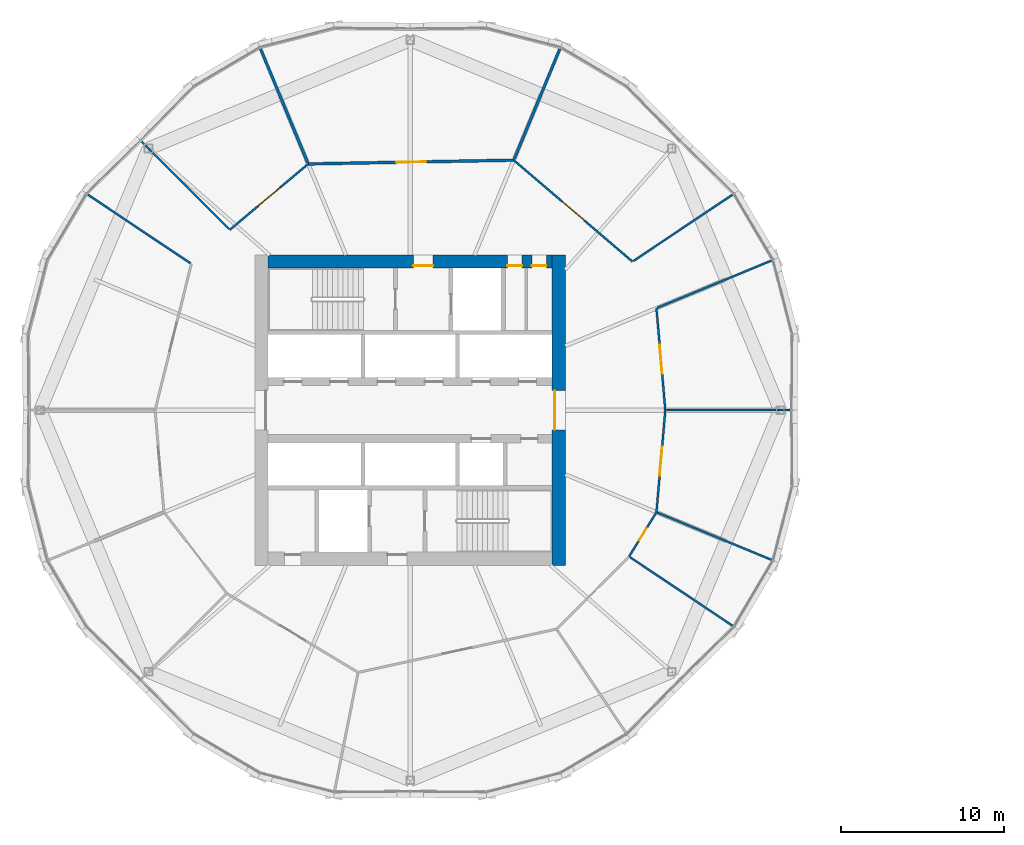
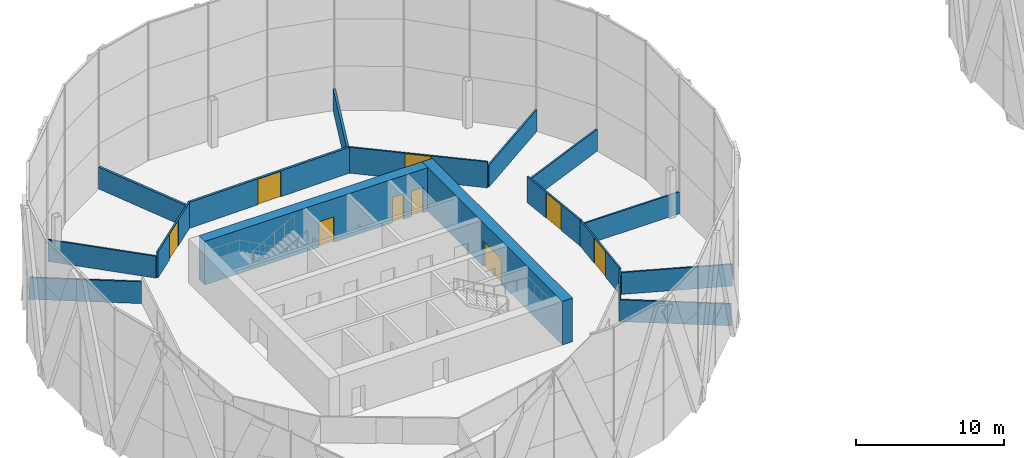
# One storey, part 21 of 26: 17 walls, 10 doors, 10 openings.
"""IFC4 building model written with IfcOpenShell, lengths in metres."""

import ifcopenshell
import ifcopenshell.guid

model = None  # the IFC model being written
_history = None  # IfcOwnerHistory: only IFC2X3 demands one
_inside = {}  # id of a spatial element -> (the spatial element, [elements in it])
_under = {}  # id of a project, library or spatial element -> (it, [spatial elements below it])
_declared = {}  # id of a project -> (the project, [libraries it declares])
_typed = {}  # id of a type object -> (the type object, [elements of that type])
_made_of = {}  # id of a material, layer set ... -> (it, [elements and type objects made of it])


def new_model(schema):
    """Start an empty IFC model of exactly this schema.

    Asked for "IFC4X3", IfcOpenShell would pick the latest addendum, in which some entities
    have other attributes; the version numbers below select the first issue.
    IFC2X3 requires an IfcOwnerHistory on every rooted entity: one is made here for all.
    """
    global model, _history
    if schema == "IFC4X3":
        model = ifcopenshell.file(schema_version=(4, 3, 0, 0))
    else:
        model = ifcopenshell.file(schema=schema)
    _inside.clear()
    _under.clear()
    _declared.clear()
    _typed.clear()
    _made_of.clear()
    _history = None
    if model.schema == "IFC2X3":
        org = make("IfcOrganization", Name="unknown")
        user = make(
            "IfcPersonAndOrganization",
            ThePerson=make("IfcPerson", FamilyName="unknown"),
            TheOrganization=org,
        )
        app = make(
            "IfcApplication",
            ApplicationDeveloper=org,
            Version="unknown",
            ApplicationFullName="unknown",
            ApplicationIdentifier="unknown",
        )
        _history = make(
            "IfcOwnerHistory",
            OwningUser=user,
            OwningApplication=app,
            ChangeAction="ADDED",
            CreationDate=0,
        )
    return model


def make(cls, **values):
    """One entity of the class cls with the attributes given. An attribute that is None is left unset."""
    return model.create_entity(
        cls, **{name: value for name, value in values.items() if value is not None}
    )


def rooted(cls, **values):
    """An entity with a GlobalId (a new one), such as an element, a storey or a relation."""
    return make(cls, GlobalId=ifcopenshell.guid.new(), OwnerHistory=_history, **values)


def si_unit(unit_type, name, prefix=None):
    """IfcSIUnit, for example si_unit("LENGTHUNIT", "METRE", prefix="MILLI")."""
    return make("IfcSIUnit", UnitType=unit_type, Prefix=prefix, Name=name)


def assignment(units):
    """IfcUnitAssignment: the units of a project."""
    return None if units is None else make("IfcUnitAssignment", Units=units)


def point(xyz):
    """IfcCartesianPoint."""
    return None if xyz is None else make("IfcCartesianPoint", Coordinates=xyz)


def direction(xyz):
    """IfcDirection."""
    return None if xyz is None else make("IfcDirection", DirectionRatios=xyz)


def frame(location, z_axis=None, x_axis=None):
    """IfcAxis2Placement3D, a coordinate frame: its origin and axes. An axis left out is left unset."""
    return make(
        "IfcAxis2Placement3D",
        Location=point(location),
        Axis=direction(z_axis),
        RefDirection=direction(x_axis),
    )


def frame_2d(location, x_axis=None):
    """IfcAxis2Placement2D, a coordinate frame in the plane: its origin and x axis."""
    return make(
        "IfcAxis2Placement2D", Location=point(location), RefDirection=direction(x_axis)
    )


def origin():
    """The frame at (0, 0, 0) with its axes left unset."""
    return frame((0.0, 0.0, 0.0))


def place(relative_to, where):
    """IfcLocalPlacement: puts the frame where relative to a parent placement (None: the world)."""
    return make(
        "IfcLocalPlacement", PlacementRelTo=relative_to, RelativePlacement=where
    )


def context(
    kind, dimensions, precision=None, world=None, true_north=None, identifier=None
):
    """IfcGeometricRepresentationContext, for example the 3D "Model" context."""
    return make(
        "IfcGeometricRepresentationContext",
        ContextIdentifier=identifier,
        ContextType=kind,
        CoordinateSpaceDimension=dimensions,
        Precision=precision,
        WorldCoordinateSystem=world,
        TrueNorth=true_north,
    )


def subcontext(parent, identifier, kind, view, scale=None):
    """IfcGeometricRepresentationSubContext, for example "Body" below "Model"."""
    return make(
        "IfcGeometricRepresentationSubContext",
        ContextIdentifier=identifier,
        ContextType=kind,
        ParentContext=parent,
        TargetScale=scale,
        TargetView=view,
    )


def project(units=None, contexts=None):
    """IfcProject with its units and contexts."""
    return rooted(
        "IfcProject",
        Name="project",
        RepresentationContexts=contexts,
        UnitsInContext=assignment(units),
    )


def spatial(cls, under=None, at=None, **own):
    """A site, building, storey or space (cls), placed at a placement, below another one or the project."""
    s = rooted(cls, ObjectPlacement=at, **own)
    if under is not None:
        _under.setdefault(under.id(), (under, []))[1].append(s)
    return s


def profile(cls, at=None, kind="AREA", **sizes):
    """A parametric profile (cls). Its sizes go by their IFC names, for example OverallWidth=200.0."""
    return make(cls, ProfileType=kind, Position=at, **sizes)


def rectangle(**sizes):
    """IfcRectangleProfileDef."""
    return profile("IfcRectangleProfileDef", **sizes)


def extrude(swept, where, along, depth):
    """IfcExtrudedAreaSolid: the profile swept, set in the frame where, extruded along a direction by depth."""
    return make(
        "IfcExtrudedAreaSolid",
        SweptArea=swept,
        Position=where,
        ExtrudedDirection=direction(along),
        Depth=depth,
    )


def shape(context_of_items, identifier, shape_type, items):
    """IfcShapeRepresentation: the items that make up one representation, for example the "Body"."""
    return make(
        "IfcShapeRepresentation",
        ContextOfItems=context_of_items,
        RepresentationIdentifier=identifier,
        RepresentationType=shape_type,
        Items=items,
    )


def material(Name=None, Category=None):
    """IfcMaterial."""
    return make("IfcMaterial", Name=Name, Category=Category)


def layer(
    of_material, thickness, ventilated=None, Name=None, Category=None, Priority=None
):
    """IfcMaterialLayer: one layer of a wall or slab, of a material (None: an air gap)."""
    return make(
        "IfcMaterialLayer",
        Material=of_material,
        LayerThickness=thickness,
        IsVentilated=ventilated,
        Name=Name,
        Category=Category,
        Priority=Priority,
    )


def layer_set(layers, Name=None):
    """IfcMaterialLayerSet."""
    return make("IfcMaterialLayerSet", MaterialLayers=layers, LayerSetName=Name)


def made_of(thing, what):
    """Note that an element or type object is made of a material, layer set ...; save() writes the relation."""
    if what is not None:
        _made_of.setdefault(what.id(), (what, []))[1].append(thing)
    return thing


def type_object(cls, material=None, **own):
    """A type object (cls), such as IfcWallType, which elements share."""
    return made_of(rooted(cls, **own), material)


def element(
    cls,
    number,
    at=None,
    inside=None,
    cuts=None,
    type_object=None,
    material=None,
    context=None,
    identifier="Body",
    shape_type=None,
    held_by="IfcProductDefinitionShape",
    body=None,
    shapes=None,
    **own,
):
    """One element of the class cls, such as IfcWall. Its Tag is "e" and its number.

    at: its placement. inside: the storey or other place that contains it. cuts: it is an
    opening in that element (IfcRelVoidsElement). A single representation is given by context,
    identifier, shape_type and body (its items); several are given by shapes. held_by: the class
    of the entity that holds the representations. save() writes the other relations.
    """
    e = rooted(cls, Tag="e%d" % number, ObjectPlacement=at, **own)
    if body is not None:
        shapes = [shape(context, identifier, shape_type, body)]
    if shapes is not None:
        e.Representation = make(held_by, Representations=shapes)
    if inside is not None:
        _inside.setdefault(inside.id(), (inside, []))[1].append(e)
    if cuts is not None:
        rooted(
            "IfcRelVoidsElement", RelatingBuildingElement=cuts, RelatedOpeningElement=e
        )
    if type_object is not None:
        _typed.setdefault(type_object.id(), (type_object, []))[1].append(e)
    return made_of(e, material)


def fill(opening, filler):
    """IfcRelFillsElement: the door or window that sits in an opening."""
    return rooted(
        "IfcRelFillsElement",
        RelatingOpeningElement=opening,
        RelatedBuildingElement=filler,
    )


def aggregate(whole, parts):
    """IfcRelAggregates: a whole, such as a stair, and the parts it consists of."""
    return rooted("IfcRelAggregates", RelatingObject=whole, RelatedObjects=parts)


def save(model, path):
    """Write the relations noted so far, then the file.

    IfcRelAggregates (storeys below a building ...), IfcRelContainedInSpatialStructure (elements
    in a storey), IfcRelDefinesByType, IfcRelAssociatesMaterial and IfcRelDeclares: one each for
    every whole, place, type object, material and project.
    """
    for whole, parts in _under.values():
        aggregate(whole, parts)
    for where, things in _inside.values():
        rooted(
            "IfcRelContainedInSpatialStructure",
            RelatedElements=things,
            RelatingStructure=where,
        )
    for kind, things in _typed.values():
        rooted("IfcRelDefinesByType", RelatedObjects=things, RelatingType=kind)
    for what, things in _made_of.values():
        rooted("IfcRelAssociatesMaterial", RelatedObjects=things, RelatingMaterial=what)
    for by, libraries in _declared.values():
        rooted("IfcRelDeclares", RelatingContext=by, RelatedDefinitions=libraries)
    model.write(path)


model = new_model("IFC4")

# Units and contexts
model_context = context("Model", 3, precision=1e-05, world=origin(), true_north=direction((0.0, 1.0)))
body_context = subcontext(model_context, "Body", "Model", "MODEL_VIEW")
ifc_project = project(units=[si_unit("LENGTHUNIT", "METRE"), si_unit("AREAUNIT", "SQUARE_METRE"), si_unit("VOLUMEUNIT", "CUBIC_METRE"), si_unit("PLANEANGLEUNIT", "RADIAN"), si_unit("MASSUNIT", "GRAM", prefix="KILO")], contexts=[model_context])

# Site, building, storey
site_placement = place(None, origin())
site = spatial("IfcSite", under=ifc_project, at=site_placement, CompositionType="ELEMENT")
building_placement = place(site_placement, origin())
building = spatial("IfcBuilding", under=site, at=building_placement, Name="Ogive Gate Towers", CompositionType="ELEMENT")
storey_placement = place(building_placement, frame((0.0, 0.0, 87.89990234375)))
storey = spatial("IfcBuildingStorey", under=building, at=storey_placement, Name="L20", CompositionType="ELEMENT", Elevation=87.89990234375)

# Walls
ifc_material_1 = material(Name="Gypsum board acoustic partition")
ifc_layer_1 = layer(ifc_material_1, 0.175048828125)
ifc_layer_set_1 = layer_set([ifc_layer_1], Name="Acoustic partition 175")
wall_type_1 = type_object("IfcWallType", Name="Acoustic partition 175", PredefinedType="PARTITIONING", material=ifc_layer_set_1)
wall_1_placement = place(storey_placement, frame((-26.8271484375, 22.1455078125, 0.0), z_axis=(0.0, 0.0, 1.0), x_axis=(-0.382651040755, -0.92389294889, 0.0)))
element("IfcWall", 1, at=wall_1_placement, inside=storey, type_object=wall_type_1, Name="Partition T1-L20-004", PredefinedType="PARTITIONING", context=body_context, shape_type="SweptSolid", body=[
    extrude(rectangle(XDim=7.301513671875, YDim=0.175048828125, at=frame_2d((3.65087890625, 0.0))), origin(), (0.0, 0.0, 1.0), 1.800048828125),
])
wall_2_placement = place(storey_placement, frame((-45.1728515625, 22.1455078125, 0.0), z_axis=(0.0, 0.0, 1.0), x_axis=(0.382656362014, -0.923890744953, 0.0)))
element("IfcWall", 2, at=wall_2_placement, inside=storey, type_object=wall_type_1, Name="Partition T1-L20-005", PredefinedType="PARTITIONING", context=body_context, shape_type="SweptSolid", body=[
    extrude(rectangle(XDim=7.551513671875, YDim=0.175048828125, at=frame_2d((3.77587890625, 0.0))), origin(), (0.0, 0.0, 1.0), 1.800048828125),
])

# Wall, opening, door
wall_3_placement = place(storey_placement, frame((-29.65478515625, 15.31884765625, 0.0), z_axis=(0.0, 0.0, 1.0), x_axis=(-0.999831908643, -0.018334515499, 0.0)))
wall_3 = element("IfcWall", 3, at=wall_3_placement, inside=storey, type_object=wall_type_1, Name="Partition T1-L20-016", PredefinedType="PARTITIONING", context=body_context, shape_type="SweptSolid", body=[
    extrude(rectangle(XDim=12.596923828125, YDim=0.175048828125, at=frame_2d((6.29833984375, 0.0))), origin(), (0.0, 0.0, 1.0), 2.14013671875),
])
opening_1_placement = place(wall_3_placement, frame((5.39892578125, 0.0, 0.0)))
opening_1 = element("IfcOpeningElement", 4, at=opening_1_placement, cuts=wall_3, Name="Opening T1-L20-D02", PredefinedType="OPENING", context=body_context, shape_type="SweptSolid", body=[
    extrude(rectangle(XDim=1.800048828125, YDim=2.10009765625, at=frame_2d((0.89990234375, 1.050048828125))), frame((0.0, 0.09765625, 0.0), z_axis=(0.0, -1.0, 0.0), x_axis=(1.0, 0.0, 0.0)), (0.0, 0.0, 1.0), 0.195068359375),
])
ifc_material_2 = material(Name="Timber door", Category="wood")
door_type_1 = type_object("IfcDoorType", Name="Door pair 1800", OperationType="NOTDEFINED", PredefinedType="DOOR", material=ifc_material_2)
door_1_placement = place(opening_1_placement, origin())
door_1 = element("IfcDoor", 5, at=door_1_placement, inside=storey, type_object=door_type_1, Name="Door T1-L20-D02", OperationType="DOUBLE_DOOR_DOUBLE_SWING", OverallHeight=2.10009765625, OverallWidth=1.800048828125, PredefinedType="DOOR", context=body_context, shape_type="SweptSolid", body=[
    extrude(rectangle(XDim=1.800048828125, YDim=2.10009765625, at=frame_2d((0.89990234375, 1.050048828125))), frame((0.0, 0.02490234375, 0.0), z_axis=(0.0, -1.0, 0.0), x_axis=(1.0, 0.0, 0.0)), (0.0, 0.0, 1.0), 0.050048828125),
])
fill(opening_1, door_1)

# Wall, openings, doors
ifc_material_3 = material(Name="Concrete C60/75", Category="concrete")
ifc_layer_2 = layer(ifc_material_3, 0.800048828125)
ifc_layer_set_2 = layer_set([ifc_layer_2], Name="Core wall 800 mm")
wall_type_2 = type_object("IfcWallType", Name="Core wall 800 mm", PredefinedType="SHEAR", material=ifc_layer_set_2)
wall_4_placement = place(storey_placement, frame((-44.699951171875, 9.10009765625, 0.0), z_axis=(0.0, 0.0, 1.0), x_axis=(1.0, 0.0, 0.0)))
wall_4 = element("IfcWall", 6, at=wall_4_placement, inside=storey, type_object=wall_type_2, Name="T1 L20 Core wall 800 mm", PredefinedType="SHEAR", context=body_context, shape_type="SweptSolid", body=[
    extrude(rectangle(XDim=17.39990234375, YDim=0.800048828125, at=frame_2d((8.699951171875, 0.0))), origin(), (0.0, 0.0, 1.0), 3.60009765625),
])
opening_2_placement = place(wall_4_placement, frame((8.89990234375, 0.0, 0.0)))
opening_2 = element("IfcOpeningElement", 7, at=opening_2_placement, cuts=wall_4, Name="Opening KD-T1-L20-15", PredefinedType="OPENING", context=body_context, shape_type="SweptSolid", body=[
    extrude(rectangle(XDim=1.199951171875, YDim=2.10009765625, at=frame_2d((0.60009765625, 1.050048828125))), frame((0.0, 0.41015625, 0.0), z_axis=(0.0, -1.0, 0.0), x_axis=(1.0, 0.0, 0.0)), (0.0, 0.0, 1.0), 0.820068359375),
])
opening_3_placement = place(wall_4_placement, frame((14.64990234375, 0.0, 0.0)))
opening_3 = element("IfcOpeningElement", 8, at=opening_3_placement, cuts=wall_4, Name="Opening KD-T1-L20-17", PredefinedType="OPENING", context=body_context, shape_type="SweptSolid", body=[
    extrude(rectangle(XDim=0.89990234375, YDim=2.10009765625, at=frame_2d((0.449951171875, 1.050048828125))), frame((0.0, 0.41015625, 0.0), z_axis=(0.0, -1.0, 0.0), x_axis=(1.0, 0.0, 0.0)), (0.0, 0.0, 1.0), 0.820068359375),
])
opening_4_placement = place(wall_4_placement, frame((16.14990234375, 0.0, 0.0)))
opening_4 = element("IfcOpeningElement", 9, at=opening_4_placement, cuts=wall_4, Name="Opening KD-T1-L20-18", PredefinedType="OPENING", context=body_context, shape_type="SweptSolid", body=[
    extrude(rectangle(XDim=0.89990234375, YDim=2.10009765625, at=frame_2d((0.449951171875, 1.050048828125))), frame((0.0, 0.41015625, 0.0), z_axis=(0.0, -1.0, 0.0), x_axis=(1.0, 0.0, 0.0)), (0.0, 0.0, 1.0), 0.820068359375),
])
door_type_2 = type_object("IfcDoorType", Name="Core WC door 900 x 2100", OperationType="NOTDEFINED", PredefinedType="DOOR", material=ifc_material_2)
door_2_placement = place(opening_3_placement, origin())
door_2 = element("IfcDoor", 10, at=door_2_placement, inside=storey, type_object=door_type_2, Name="T1 L20 Core door", OperationType="SINGLE_SWING_RIGHT", OverallHeight=2.10009765625, OverallWidth=0.89990234375, PredefinedType="DOOR", context=body_context, shape_type="SweptSolid", body=[
    extrude(rectangle(XDim=0.89990234375, YDim=2.10009765625, at=frame_2d((0.449951171875, 1.050048828125))), frame((0.0, -0.22509765625, 0.0), z_axis=(0.0, -1.0, 0.0), x_axis=(1.0, 0.0, 0.0)), (0.0, 0.0, 1.0), 0.050048828125),
])
fill(opening_3, door_2)
door_3_placement = place(opening_4_placement, origin())
door_3 = element("IfcDoor", 11, at=door_3_placement, inside=storey, type_object=door_type_2, Name="T1 L20 Core door", OperationType="SINGLE_SWING_LEFT", OverallHeight=2.10009765625, OverallWidth=0.89990234375, PredefinedType="DOOR", context=body_context, shape_type="SweptSolid", body=[
    extrude(rectangle(XDim=0.89990234375, YDim=2.10009765625, at=frame_2d((0.449951171875, 1.050048828125))), frame((0.0, -0.22509765625, 0.0), z_axis=(0.0, -1.0, 0.0), x_axis=(1.0, 0.0, 0.0)), (0.0, 0.0, 1.0), 0.050048828125),
])
fill(opening_4, door_3)
ifc_material_4 = material(Name="Steel fire door", Category="steel")
door_type_3 = type_object("IfcDoorType", Name="Core door FD60S 1200 x 2100", OperationType="NOTDEFINED", PredefinedType="DOOR", material=ifc_material_4)
door_4_placement = place(opening_2_placement, origin())
door_4 = element("IfcDoor", 12, at=door_4_placement, inside=storey, type_object=door_type_3, Name="T1 L20 Fire-fighting lobby door", OperationType="SINGLE_SWING_RIGHT", OverallHeight=2.10009765625, OverallWidth=1.199951171875, PredefinedType="DOOR", context=body_context, shape_type="SweptSolid", body=[
    extrude(rectangle(XDim=1.199951171875, YDim=2.10009765625, at=frame_2d((0.60009765625, 1.050048828125))), frame((0.0, -0.22509765625, 0.0), z_axis=(0.0, -1.0, 0.0), x_axis=(1.0, 0.0, 0.0)), (0.0, 0.0, 1.0), 0.050048828125),
])
fill(opening_2, door_4)

# Wall, opening, door
wall_5_placement = place(storey_placement, frame((-26.89990234375, -9.5, 0.0), z_axis=(0.0, 0.0, 1.0), x_axis=(0.0, 1.0, 0.0)))
wall_5 = element("IfcWall", 13, at=wall_5_placement, inside=storey, type_object=wall_type_2, Name="T1 L20 Core wall 800 mm", PredefinedType="SHEAR", context=body_context, shape_type="SweptSolid", body=[
    extrude(rectangle(XDim=19.0, YDim=0.800048828125, at=frame_2d((9.5, 0.0))), origin(), (0.0, 0.0, 1.0), 3.60009765625),
])
opening_5_placement = place(wall_5_placement, frame((8.300048828125, 0.0, 0.0)))
opening_5 = element("IfcOpeningElement", 14, at=opening_5_placement, cuts=wall_5, Name="Opening KD-T1-L20-02", PredefinedType="OPENING", context=body_context, shape_type="SweptSolid", body=[
    extrude(rectangle(XDim=2.39990234375, YDim=2.10009765625, at=frame_2d((1.199951171875, 1.050048828125))), frame((0.0, 0.41015625, 0.0), z_axis=(0.0, -1.0, 0.0), x_axis=(1.0, 0.0, 0.0)), (0.0, 0.0, 1.0), 0.820068359375),
])
door_type_4 = type_object("IfcDoorType", Name="Core double door FD60S 2400 x 2100", OperationType="DOUBLE_DOOR_SINGLE_SWING", PredefinedType="DOOR", material=ifc_material_4)
door_5_placement = place(opening_5_placement, origin())
door_5 = element("IfcDoor", 15, at=door_5_placement, inside=storey, type_object=door_type_4, Name="T1 L20 Core door double", OperationType="DOUBLE_DOOR_SINGLE_SWING", OverallHeight=2.10009765625, OverallWidth=2.39990234375, PredefinedType="DOOR", context=body_context, shape_type="SweptSolid", body=[
    extrude(rectangle(XDim=2.39990234375, YDim=2.10009765625, at=frame_2d((1.199951171875, 1.050048828125))), frame((0.0, 0.27490234375, 0.0), z_axis=(0.0, -1.0, 0.0), x_axis=(1.0, 0.0, 0.0)), (0.0, 0.0, 1.0), 0.050048828125),
])
fill(opening_5, door_5)

# Walls
ifc_material_5 = material(Name="Gypsum board partition")
ifc_layer_3 = layer(ifc_material_5, 0.125)
ifc_layer_set_3 = layer_set([ifc_layer_3], Name="Partition 125")
wall_type_3 = type_object("IfcWallType", Name="Partition 125", PredefinedType="PARTITIONING", material=ifc_layer_set_3)
for number, where, z_axis, x_axis, name in (
    (16, (-12.73095703125, 0.0, 0.0), (0.0, 0.0, 1.0), (-1.0, 0.0, 0.0), "Partition T1-L20-001"),
    (17, (-13.8544921875, 9.1728515625, 0.0), (0.0, 0.0, 1.0), (-0.923883306307, -0.382674321488, 0.0), "Partition T1-L20-002"),
):
    element("IfcWall", number, at=place(storey_placement, frame(where, z_axis=z_axis, x_axis=x_axis)), inside=storey, type_object=wall_type_3, Name=name, PredefinedType="PARTITIONING", context=body_context, shape_type="SweptSolid", body=[
        extrude(rectangle(XDim=7.57666015625, YDim=0.125, at=frame_2d((3.788330078125, 0.0))), origin(), (0.0, 0.0, 1.0), 1.800048828125),
    ])
wall_6_placement = place(storey_placement, frame((-16.240478515625, 13.2119140625, 0.0), z_axis=(0.0, 0.0, 1.0), x_axis=(-0.831290762981, -0.555837806723, 0.0)))
element("IfcWall", 18, at=wall_6_placement, inside=storey, type_object=wall_type_3, Name="Partition T1-L20-003", PredefinedType="PARTITIONING", context=body_context, shape_type="SweptSolid", body=[
    extrude(rectangle(XDim=7.326416015625, YDim=0.125, at=frame_2d((3.6630859375, 0.0))), origin(), (0.0, 0.0, 1.0), 1.800048828125),
])
wall_7_placement = place(storey_placement, frame((-52.45361328125, 16.45361328125, 0.0), z_axis=(0.0, 0.0, 1.0), x_axis=(0.707106781187, -0.707106781187, 0.0)))
element("IfcWall", 19, at=wall_7_placement, inside=storey, type_object=wall_type_3, Name="Partition T1-L20-006", PredefinedType="PARTITIONING", context=body_context, shape_type="SweptSolid", body=[
    extrude(rectangle(XDim=7.57666015625, YDim=0.125, at=frame_2d((3.788330078125, 0.0))), origin(), (0.0, 0.0, 1.0), 1.800048828125),
])
for number, where, z_axis, x_axis, name in (
    (20, (-55.759521484375, 13.2119140625, 0.0), (0.0, 0.0, 1.0), (0.831300960788, -0.555822554951, 0.0), "Partition T1-L20-007"),
    (21, (-16.240478515625, -13.2119140625, 0.0), (0.0, 0.0, 1.0), (-0.831300960788, 0.555822554951, 0.0), "Partition T1-L20-013"),
):
    element("IfcWall", number, at=place(storey_placement, frame(where, z_axis=z_axis, x_axis=x_axis)), inside=storey, type_object=wall_type_3, Name=name, PredefinedType="PARTITIONING", context=body_context, shape_type="SweptSolid", body=[
        extrude(rectangle(XDim=7.576416015625, YDim=0.125, at=frame_2d((3.7880859375, 0.0))), origin(), (0.0, 0.0, 1.0), 1.800048828125),
    ])
wall_8_placement = place(storey_placement, frame((-13.8544921875, -9.1728515625, 0.0), z_axis=(0.0, 0.0, 1.0), x_axis=(-0.923883306307, 0.382674321488, 0.0)))
element("IfcWall", 22, at=wall_8_placement, inside=storey, type_object=wall_type_3, Name="Partition T1-L20-014", PredefinedType="PARTITIONING", context=body_context, shape_type="SweptSolid", body=[
    extrude(rectangle(XDim=7.57666015625, YDim=0.125, at=frame_2d((3.788330078125, 0.0))), origin(), (0.0, 0.0, 1.0), 1.800048828125),
])

# Wall, opening, door
wall_9_placement = place(storey_placement, frame((-22.3828125, 9.10498046875, 0.0), z_axis=(0.0, 0.0, 1.0), x_axis=(-0.760250240989, 0.649630334172, 0.0)))
wall_9 = element("IfcWall", 23, at=wall_9_placement, inside=storey, type_object=wall_type_3, Name="Partition T1-L20-015", PredefinedType="PARTITIONING", context=body_context, shape_type="SweptSolid", body=[
    extrude(rectangle(XDim=9.565185546875, YDim=0.125, at=frame_2d((4.78271484375, 0.0))), origin(), (0.0, 0.0, 1.0), 2.14013671875),
])
opening_6_placement = place(wall_9_placement, frame((3.883056640625, 0.0, 0.0)))
opening_6 = element("IfcOpeningElement", 24, at=opening_6_placement, cuts=wall_9, Name="Opening T1-L20-D01", PredefinedType="OPENING", context=body_context, shape_type="SweptSolid", body=[
    extrude(rectangle(XDim=1.800048828125, YDim=2.10009765625, at=frame_2d((0.89990234375, 1.050048828125))), frame((0.0, 0.072509765625, 0.0), z_axis=(0.0, -1.0, 0.0), x_axis=(1.0, 0.0, 0.0)), (0.0, 0.0, 1.0), 0.14501953125),
])
door_6_placement = place(opening_6_placement, origin())
door_6 = element("IfcDoor", 25, at=door_6_placement, inside=storey, type_object=door_type_1, Name="Door T1-L20-D01", OperationType="DOUBLE_DOOR_DOUBLE_SWING", OverallHeight=2.10009765625, OverallWidth=1.800048828125, PredefinedType="DOOR", context=body_context, shape_type="SweptSolid", body=[
    extrude(rectangle(XDim=1.800048828125, YDim=2.10009765625, at=frame_2d((0.89990234375, 1.050048828125))), frame((0.0, 0.02490234375, 0.0), z_axis=(0.0, -1.0, 0.0), x_axis=(1.0, 0.0, 0.0)), (0.0, 0.0, 1.0), 0.050048828125),
])
fill(opening_6, door_6)

wall_10_placement = place(storey_placement, frame((-42.24951171875, 15.087890625, 0.0), z_axis=(0.0, 0.0, 1.0), x_axis=(-0.765563776313, -0.6433600115, 0.0)))
wall_10 = element("IfcWall", 26, at=wall_10_placement, inside=storey, type_object=wall_type_3, Name="Partition T1-L20-017", PredefinedType="PARTITIONING", context=body_context, shape_type="SweptSolid", body=[
    extrude(rectangle(XDim=6.273193359375, YDim=0.125, at=frame_2d((3.13671875, 0.0))), origin(), (0.0, 0.0, 1.0), 2.14013671875),
])
opening_7_placement = place(wall_10_placement, frame((2.237060546875, 0.0, 0.0)))
opening_7 = element("IfcOpeningElement", 27, at=opening_7_placement, cuts=wall_10, Name="Opening T1-L20-D03", PredefinedType="OPENING", context=body_context, shape_type="SweptSolid", body=[
    extrude(rectangle(XDim=1.800048828125, YDim=2.10009765625, at=frame_2d((0.89990234375, 1.050048828125))), frame((0.0, 0.072509765625, 0.0), z_axis=(0.0, -1.0, 0.0), x_axis=(1.0, 0.0, 0.0)), (0.0, 0.0, 1.0), 0.14501953125),
])
door_7_placement = place(opening_7_placement, origin())
door_7 = element("IfcDoor", 28, at=door_7_placement, inside=storey, type_object=door_type_1, Name="Door T1-L20-D03", OperationType="DOUBLE_DOOR_DOUBLE_SWING", OverallHeight=2.10009765625, OverallWidth=1.800048828125, PredefinedType="DOOR", context=body_context, shape_type="SweptSolid", body=[
    extrude(rectangle(XDim=1.800048828125, YDim=2.10009765625, at=frame_2d((0.89990234375, 1.050048828125))), frame((0.0, 0.02490234375, 0.0), z_axis=(0.0, -1.0, 0.0), x_axis=(1.0, 0.0, 0.0)), (0.0, 0.0, 1.0), 0.050048828125),
])
fill(opening_7, door_7)

wall_11_placement = place(storey_placement, frame((-22.5908203125, -8.9658203125, 0.0), z_axis=(0.0, 0.0, 1.0), x_axis=(0.525717493384, 0.850659225042, 0.0)))
wall_11 = element("IfcWall", 29, at=wall_11_placement, inside=storey, type_object=wall_type_3, Name="Partition T1-L20-024", PredefinedType="PARTITIONING", context=body_context, shape_type="SweptSolid", body=[
    extrude(rectangle(XDim=3.193115234375, YDim=0.125, at=frame_2d((1.5966796875, 0.0))), origin(), (0.0, 0.0, 1.0), 2.14013671875),
])
opening_8_placement = place(wall_11_placement, frame((1.14697265625, 0.0, 0.0)))
opening_8 = element("IfcOpeningElement", 30, at=opening_8_placement, cuts=wall_11, Name="Opening T1-L20-D10", PredefinedType="OPENING", context=body_context, shape_type="SweptSolid", body=[
    extrude(rectangle(XDim=0.89990234375, YDim=2.10009765625, at=frame_2d((0.449951171875, 1.050048828125))), frame((0.0, 0.072509765625, 0.0), z_axis=(0.0, -1.0, 0.0), x_axis=(1.0, 0.0, 0.0)), (0.0, 0.0, 1.0), 0.14501953125),
])
door_type_5 = type_object("IfcDoorType", Name="Door 900", OperationType="NOTDEFINED", PredefinedType="DOOR", material=ifc_material_2)
door_8_placement = place(opening_8_placement, origin())
door_8 = element("IfcDoor", 31, at=door_8_placement, inside=storey, type_object=door_type_5, Name="Door T1-L20-D10", OperationType="SINGLE_SWING_LEFT", OverallHeight=2.10009765625, OverallWidth=0.89990234375, PredefinedType="DOOR", context=body_context, shape_type="SweptSolid", body=[
    extrude(rectangle(XDim=0.89990234375, YDim=2.10009765625, at=frame_2d((0.449951171875, 1.050048828125))), frame((0.0, 0.02490234375, 0.0), z_axis=(0.0, -1.0, 0.0), x_axis=(1.0, 0.0, 0.0)), (0.0, 0.0, 1.0), 0.050048828125),
])
fill(opening_8, door_8)

wall_12_placement = place(storey_placement, frame((-20.912109375, -6.24951171875, 0.0), z_axis=(0.0, 0.0, 1.0), x_axis=(0.086401208682, 0.996260423352, 0.0)))
wall_12 = element("IfcWall", 32, at=wall_12_placement, inside=storey, type_object=wall_type_3, Name="Partition T1-L20-025", PredefinedType="PARTITIONING", context=body_context, shape_type="SweptSolid", body=[
    extrude(rectangle(XDim=6.27294921875, YDim=0.125, at=frame_2d((3.136474609375, 0.0))), origin(), (0.0, 0.0, 1.0), 2.14013671875),
])
opening_9_placement = place(wall_12_placement, frame((2.237060546875, 0.0, 0.0)))
opening_9 = element("IfcOpeningElement", 33, at=opening_9_placement, cuts=wall_12, Name="Opening T1-L20-D11", PredefinedType="OPENING", context=body_context, shape_type="SweptSolid", body=[
    extrude(rectangle(XDim=1.800048828125, YDim=2.10009765625, at=frame_2d((0.89990234375, 1.050048828125))), frame((0.0, 0.072509765625, 0.0), z_axis=(0.0, -1.0, 0.0), x_axis=(1.0, 0.0, 0.0)), (0.0, 0.0, 1.0), 0.14501953125),
])
door_9_placement = place(opening_9_placement, origin())
door_9 = element("IfcDoor", 34, at=door_9_placement, inside=storey, type_object=door_type_1, Name="Door T1-L20-D11", OperationType="DOUBLE_DOOR_DOUBLE_SWING", OverallHeight=2.10009765625, OverallWidth=1.800048828125, PredefinedType="DOOR", context=body_context, shape_type="SweptSolid", body=[
    extrude(rectangle(XDim=1.800048828125, YDim=2.10009765625, at=frame_2d((0.89990234375, 1.050048828125))), frame((0.0, 0.02490234375, 0.0), z_axis=(0.0, -1.0, 0.0), x_axis=(1.0, 0.0, 0.0)), (0.0, 0.0, 1.0), 0.050048828125),
])
fill(opening_9, door_9)

wall_13_placement = place(storey_placement, frame((-20.3701171875, 0.0, 0.0), z_axis=(0.0, 0.0, 1.0), x_axis=(-0.086401208682, 0.996260423352, 0.0)))
wall_13 = element("IfcWall", 35, at=wall_13_placement, inside=storey, type_object=wall_type_3, Name="Partition T1-L20-026", PredefinedType="PARTITIONING", context=body_context, shape_type="SweptSolid", body=[
    extrude(rectangle(XDim=6.27294921875, YDim=0.125, at=frame_2d((3.136474609375, 0.0))), origin(), (0.0, 0.0, 1.0), 2.14013671875),
])
opening_10_placement = place(wall_13_placement, frame((2.237060546875, 0.0, 0.0)))
opening_10 = element("IfcOpeningElement", 36, at=opening_10_placement, cuts=wall_13, Name="Opening T1-L20-D12", PredefinedType="OPENING", context=body_context, shape_type="SweptSolid", body=[
    extrude(rectangle(XDim=1.800048828125, YDim=2.10009765625, at=frame_2d((0.89990234375, 1.050048828125))), frame((0.0, 0.072509765625, 0.0), z_axis=(0.0, -1.0, 0.0), x_axis=(1.0, 0.0, 0.0)), (0.0, 0.0, 1.0), 0.14501953125),
])
door_10_placement = place(opening_10_placement, origin())
door_10 = element("IfcDoor", 37, at=door_10_placement, inside=storey, type_object=door_type_1, Name="Door T1-L20-D12", OperationType="DOUBLE_DOOR_DOUBLE_SWING", OverallHeight=2.10009765625, OverallWidth=1.800048828125, PredefinedType="DOOR", context=body_context, shape_type="SweptSolid", body=[
    extrude(rectangle(XDim=1.800048828125, YDim=2.10009765625, at=frame_2d((0.89990234375, 1.050048828125))), frame((0.0, 0.02490234375, 0.0), z_axis=(0.0, -1.0, 0.0), x_axis=(1.0, 0.0, 0.0)), (0.0, 0.0, 1.0), 0.050048828125),
])
fill(opening_10, door_10)

save(model, "model.ifc")
